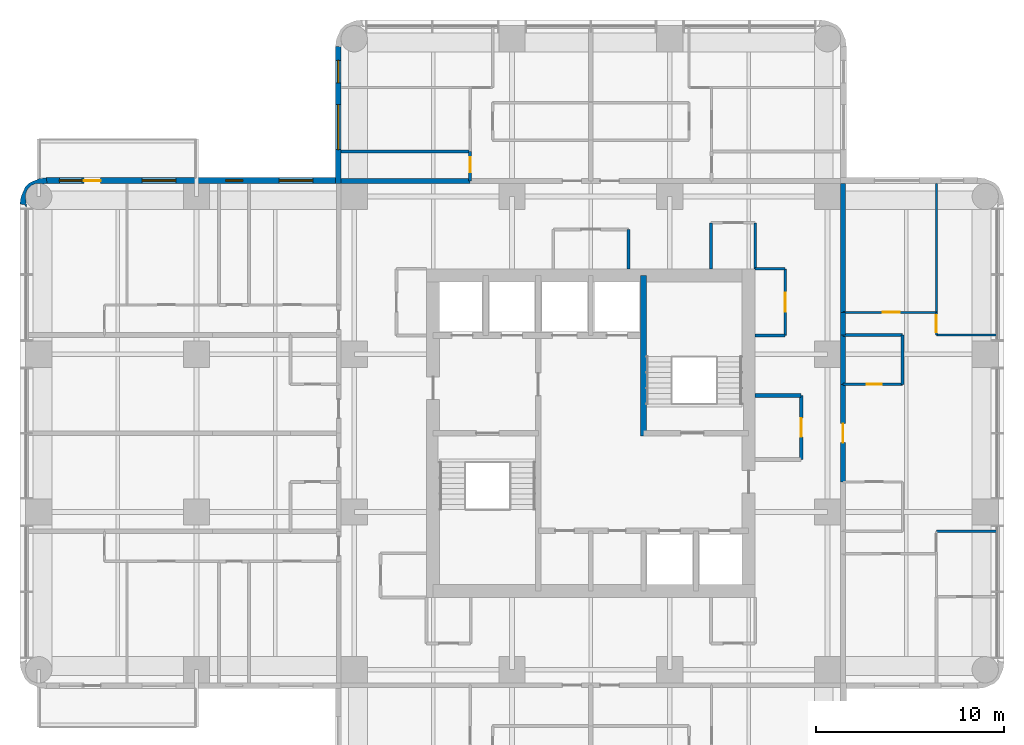
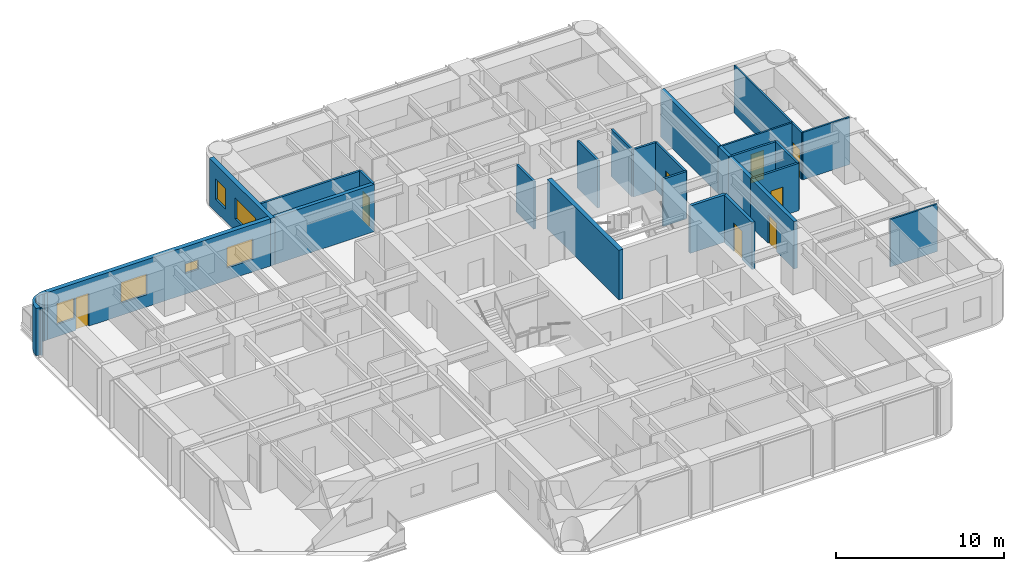
# One storey, part 8 of 11: 27 walls, 8 doors, 6 windows, 14 openings.
"""IFC4 building model written with IfcOpenShell, lengths in metres."""

from ifc_helpers import new_model, si_unit, direction, frame, frame_2d, origin, place, context, subcontext, project, spatial, polyline, rectangle, outline, extrude, material, layer, layer_set, type_object, element, fill, save


model = new_model("IFC4")

# Units and contexts
model_context = context("Model", 3, precision=1e-05, world=origin(), true_north=direction((0.0, 1.0)))
body_context = subcontext(model_context, "Body", "Model", "MODEL_VIEW")
ifc_project = project(units=[si_unit("LENGTHUNIT", "METRE"), si_unit("AREAUNIT", "SQUARE_METRE"), si_unit("VOLUMEUNIT", "CUBIC_METRE"), si_unit("PLANEANGLEUNIT", "RADIAN"), si_unit("MASSUNIT", "GRAM", prefix="KILO")], contexts=[model_context])

# Site, building, storey
site_placement = place(None, origin())
site = spatial("IfcSite", under=ifc_project, at=site_placement, CompositionType="ELEMENT")
building_placement = place(site_placement, origin())
building = spatial("IfcBuilding", under=site, at=building_placement, Name="Torre Alcanfor", CompositionType="ELEMENT")
storey_placement = place(building_placement, frame((0.0, 0.0, 212.10009765625)))
storey = spatial("IfcBuildingStorey", under=building, at=storey_placement, Name="L55", CompositionType="ELEMENT", Elevation=212.10009765625)

# Wall
ifc_material_1 = material(Name="Concrete block masonry, hollow blocks NMX-C-404 9 MPa", Category="masonry")
ifc_layer_1 = layer(ifc_material_1, 0.25)
ifc_layer_set_1 = layer_set([ifc_layer_1], Name="Apartment entrance wall 250 EI 60")
wall_type_1 = type_object("IfcWallType", Name="Apartment entrance wall 250 EI 60", PredefinedType="PARTITIONING", material=ifc_layer_set_1)
wall_1_placement = place(storey_placement, frame((16.10009765625, 42.824951171875, 0.0), z_axis=(0.0, 0.0, 1.0), x_axis=(1.0, 0.0, 0.0)))
element("IfcWall", 1, at=wall_1_placement, inside=storey, type_object=wall_type_1, Name="Partition L55-CORR / L55-N1-BATH", PredefinedType="PARTITIONING", context=body_context, shape_type="SweptSolid", body=[
    extrude(rectangle(XDim=6.870849609375, YDim=0.25, at=frame_2d((3.435546875, 0.0))), origin(), (0.0, 0.0, 1.0), 3.449951171875),
])

# Wall, opening, door
wall_2_placement = place(storey_placement, frame((42.824951171875, 32.0, 0.0), z_axis=(0.0, 0.0, 1.0), x_axis=(0.0, -1.0, 0.0)))
wall_2 = element("IfcWall", 2, at=wall_2_placement, inside=storey, type_object=wall_type_1, Name="Partition L55-CORR / L55-EX-ZAG", PredefinedType="PARTITIONING", context=body_context, shape_type="SweptSolid", body=[
    extrude(rectangle(XDim=5.199951171875, YDim=0.25, at=frame_2d((2.60009765625, 0.0))), origin(), (0.0, 0.0, 1.0), 3.449951171875),
])
opening_1_placement = place(wall_2_placement, frame((2.10009765625, 0.0, 0.0)))
opening_1 = element("IfcOpeningElement", 3, at=opening_1_placement, cuts=wall_2, Name="Opening D-A1", PredefinedType="OPENING", context=body_context, shape_type="SweptSolid", body=[
    extrude(rectangle(XDim=1.0, YDim=2.10009765625, at=frame_2d((0.5, 1.050048828125))), frame((0.0, 0.135009765625, 0.0), z_axis=(0.0, -1.0, 0.0), x_axis=(1.0, 0.0, 0.0)), (0.0, 0.0, 1.0), 0.27001953125),
])
ifc_material_2 = material(Name="Galvanised steel sheet ASTM A653", Category="steel")
door_type_1 = type_object("IfcDoorType", Name="Apartment entrance door FD60 1000x2100", OperationType="SINGLE_SWING_LEFT", PredefinedType="DOOR", material=ifc_material_2)
door_1_placement = place(opening_1_placement, origin())
door_1 = element("IfcDoor", 4, at=door_1_placement, inside=storey, type_object=door_type_1, Name="Apartment entrance L55-EX", OperationType="SINGLE_SWING_LEFT", OverallHeight=2.10009765625, OverallWidth=1.0, PredefinedType="DOOR", context=body_context, shape_type="SweptSolid", body=[
    extrude(rectangle(XDim=1.0, YDim=2.10009765625, at=frame_2d((0.5, 1.050048828125))), frame((0.0, 0.02490234375, 0.0), z_axis=(0.0, -1.0, 0.0), x_axis=(1.0, 0.0, 0.0)), (0.0, 0.0, 1.0), 0.050048828125),
])
fill(opening_1, door_1)

# Walls
wall_3_placement = place(storey_placement, frame((42.824951171875, 34.62890625, 0.0), z_axis=(0.0, 0.0, 1.0), x_axis=(0.0, -1.0, 0.0)))
element("IfcWall", 5, at=wall_3_placement, inside=storey, type_object=wall_type_1, Name="Partition L55-CORR / L55-EX-BATH2", PredefinedType="PARTITIONING", context=body_context, shape_type="SweptSolid", body=[
    extrude(rectangle(XDim=2.62890625, YDim=0.25, at=frame_2d((1.314453125, 0.0))), origin(), (0.0, 0.0, 1.0), 3.449951171875),
])
wall_4_placement = place(storey_placement, frame((42.824951171875, 35.8291015625, 0.0), z_axis=(0.0, 0.0, 1.0), x_axis=(0.0, -1.0, 0.0)))
element("IfcWall", 6, at=wall_4_placement, inside=storey, type_object=wall_type_1, Name="Partition L55-CORR / L55-EX-LIVING", PredefinedType="PARTITIONING", context=body_context, shape_type="SweptSolid", body=[
    extrude(rectangle(XDim=1.2001953125, YDim=0.25, at=frame_2d((0.60009765625, 0.0))), origin(), (0.0, 0.0, 1.0), 3.449951171875),
])
wall_5_placement = place(storey_placement, frame((42.824951171875, 42.699951171875, 0.0), z_axis=(0.0, 0.0, 1.0), x_axis=(0.0, -1.0, 0.0)))
element("IfcWall", 7, at=wall_5_placement, inside=storey, type_object=wall_type_1, Name="Partition L55-CORR / L55-EX-BED2", PredefinedType="PARTITIONING", context=body_context, shape_type="SweptSolid", body=[
    extrude(rectangle(XDim=6.870849609375, YDim=0.25, at=frame_2d((3.435546875, 0.0))), origin(), (0.0, 0.0, 1.0), 3.449951171875),
])

# Wall, opening, door
ifc_material_3 = material(Name="Gypsum board on steel studs", Category="steel")
ifc_layer_2 = layer(ifc_material_3, 0.1201171875)
ifc_layer_set_2 = layer_set([ifc_layer_2], Name="Apartment partition 120")
wall_type_2 = type_object("IfcWallType", Name="Apartment partition 120", PredefinedType="PARTITIONING", material=ifc_layer_set_2)
wall_6_placement = place(storey_placement, frame((42.824951171875, 35.8291015625, 0.0), z_axis=(0.0, 0.0, 1.0), x_axis=(1.0, 0.0, 0.0)))
wall_6 = element("IfcWall", 8, at=wall_6_placement, inside=storey, type_object=wall_type_2, Name="Partition L55-EX-LIVING / L55-EX-BED2", PredefinedType="PARTITIONING", context=body_context, shape_type="SweptSolid", body=[
    extrude(rectangle(XDim=4.97509765625, YDim=0.1201171875, at=frame_2d((2.487548828125, 0.0))), origin(), (0.0, 0.0, 1.0), 3.449951171875),
])
opening_2_placement = place(wall_6_placement, frame((2.125, 0.0, 0.0)))
opening_2 = element("IfcOpeningElement", 9, at=opening_2_placement, cuts=wall_6, Name="Opening D-R1", PredefinedType="OPENING", context=body_context, shape_type="SweptSolid", body=[
    extrude(rectangle(XDim=0.89990234375, YDim=2.10009765625, at=frame_2d((0.449951171875, 1.050048828125))), frame((0.0, 0.070068359375, 0.0), z_axis=(0.0, -1.0, 0.0), x_axis=(1.0, 0.0, 0.0)), (0.0, 0.0, 1.0), 0.14013671875),
])
ifc_material_4 = material(Name="Timber", Category="wood")
door_type_2 = type_object("IfcDoorType", Name="Internal door 900x2100", OperationType="SINGLE_SWING_LEFT", PredefinedType="DOOR", material=ifc_material_4)
door_2_placement = place(opening_2_placement, origin())
door_2 = element("IfcDoor", 10, at=door_2_placement, inside=storey, type_object=door_type_2, Name="Door L55-EX bed2", OperationType="SINGLE_SWING_RIGHT", OverallHeight=2.10009765625, OverallWidth=0.89990234375, PredefinedType="DOOR", context=body_context, shape_type="SweptSolid", body=[
    extrude(rectangle(XDim=0.89990234375, YDim=2.10009765625, at=frame_2d((0.449951171875, 1.050048828125))), frame((0.0, 0.02490234375, 0.0), z_axis=(0.0, -1.0, 0.0), x_axis=(1.0, 0.0, 0.0)), (0.0, 0.0, 1.0), 0.050048828125),
])
fill(opening_2, door_2)

wall_7_placement = place(storey_placement, frame((47.800048828125, 35.8291015625, 0.0), z_axis=(0.0, 0.0, 1.0), x_axis=(0.0, -1.0, 0.0)))
wall_7 = element("IfcWall", 11, at=wall_7_placement, inside=storey, type_object=wall_type_2, Name="Partition L55-EX-LIVING / L55-EX-MASTER", PredefinedType="PARTITIONING", context=body_context, shape_type="SweptSolid", body=[
    extrude(rectangle(XDim=1.2001953125, YDim=0.1201171875, at=frame_2d((0.60009765625, 0.0))), origin(), (0.0, 0.0, 1.0), 3.449951171875),
])
opening_3_placement = place(wall_7_placement, frame((0.14892578125, 0.0, 0.0)))
opening_3 = element("IfcOpeningElement", 12, at=opening_3_placement, cuts=wall_7, Name="Opening D-R1", PredefinedType="OPENING", context=body_context, shape_type="SweptSolid", body=[
    extrude(rectangle(XDim=0.89990234375, YDim=2.10009765625, at=frame_2d((0.449951171875, 1.050048828125))), frame((0.0, 0.070068359375, 0.0), z_axis=(0.0, -1.0, 0.0), x_axis=(1.0, 0.0, 0.0)), (0.0, 0.0, 1.0), 0.14013671875),
])
door_3_placement = place(opening_3_placement, origin())
door_3 = element("IfcDoor", 13, at=door_3_placement, inside=storey, type_object=door_type_2, Name="Door L55-EX master", OperationType="SINGLE_SWING_RIGHT", OverallHeight=2.10009765625, OverallWidth=0.89990234375, PredefinedType="DOOR", context=body_context, shape_type="SweptSolid", body=[
    extrude(rectangle(XDim=0.89990234375, YDim=2.10009765625, at=frame_2d((0.449951171875, 1.050048828125))), frame((0.0, 0.02490234375, 0.0), z_axis=(0.0, -1.0, 0.0), x_axis=(1.0, 0.0, 0.0)), (0.0, 0.0, 1.0), 0.050048828125),
])
fill(opening_3, door_3)

# Walls
for number, where, z_axis, x_axis, name in (
    (14, (47.800048828125, 34.62890625, 0.0), (0.0, 0.0, 1.0), (1.0, 0.0, 0.0), "Partition L55-EX-LIVING / L55-EX-MASTER"),
    (15, (51.050048828125, 24.1708984375, 0.0), (0.0, 0.0, 1.0), (-1.0, 0.0, 0.0), "Partition L55-EX-LIVING / L55-EX-BED1"),
):
    element("IfcWall", number, at=place(storey_placement, frame(where, z_axis=z_axis, x_axis=x_axis)), inside=storey, type_object=wall_type_2, Name=name, PredefinedType="PARTITIONING", context=body_context, shape_type="SweptSolid", body=[
        extrude(rectangle(XDim=3.25, YDim=0.1201171875, at=frame_2d((1.625, 0.0))), origin(), (0.0, 0.0, 1.0), 3.449951171875),
    ])
wall_8_placement = place(storey_placement, frame((47.800048828125, 35.8291015625, 0.0), z_axis=(0.0, 0.0, 1.0), x_axis=(0.0, 1.0, 0.0)))
element("IfcWall", 16, at=wall_8_placement, inside=storey, type_object=wall_type_2, Name="Partition L55-EX-BED2 / L55-EX-MASTER", PredefinedType="PARTITIONING", context=body_context, shape_type="SweptSolid", body=[
    extrude(rectangle(XDim=6.870849609375, YDim=0.1201171875, at=frame_2d((3.435546875, 0.0))), origin(), (0.0, 0.0, 1.0), 3.449951171875),
])
ifc_material_5 = material(Name="Concrete f'c 70 MPa", Category="concrete")
ifc_layer_3 = layer(ifc_material_5, 0.300048828125)
ifc_layer_set_3 = layer_set([ifc_layer_3], Name="Core inner wall 300 f'c70")
wall_type_3 = type_object("IfcWallType", Name="Core inner wall 300 f'c70", PredefinedType="SHEAR", material=ifc_layer_set_3)
wall_9_placement = place(storey_placement, frame((32.199951171875, 29.25, 0.0), z_axis=(0.0, 0.0, 1.0), x_axis=(0.0, 1.0, 0.0)))
element("IfcWall", 17, at=wall_9_placement, inside=storey, type_object=wall_type_3, Name="Core wall X322N L55", PredefinedType="SHEAR", context=body_context, shape_type="SweptSolid", body=[
    extrude(rectangle(XDim=8.550048828125, YDim=0.300048828125, at=frame_2d((4.27490234375, 0.0))), origin(), (0.0, 0.0, 1.0), 3.599853515625),
])

# Wall, openings, door, windows
ifc_material_6 = material(Name="Limestone cladding", Category="masonry")
ifc_layer_4 = layer(ifc_material_6, 0.0400390625, Name="Facing")
ifc_material_7 = material(Name="Ventilated air cavity")
ifc_layer_5 = layer(ifc_material_7, 0.02001953125, ventilated=True, Name="Ventilated joint")
ifc_material_8 = material(Name="Mineral wool insulation", Category="insulation")
ifc_layer_6 = layer(ifc_material_8, 0.10009765625, Name="Insulation")
ifc_material_9 = material(Name="Concrete f'c 35 MPa", Category="concrete")
ifc_layer_7 = layer(ifc_material_9, 0.139892578125, Name="Backing")
ifc_layer_set_4 = layer_set([ifc_layer_4, ifc_layer_5, ifc_layer_6, ifc_layer_7], Name="External wall stone-clad 300")
wall_type_4 = type_object("IfcWallType", Name="External wall stone-clad 300", PredefinedType="SOLIDWALL", material=ifc_layer_set_4)
wall_10_placement = place(storey_placement, frame((15.800048828125, 42.85009765625, 0.0), z_axis=(0.0, 0.0, 1.0), x_axis=(-1.0, 0.0, 0.0)))
wall_10 = element("IfcWall", 18, at=wall_10_placement, inside=storey, type_object=wall_type_4, Name="External wall L55 1", PredefinedType="SOLIDWALL", context=body_context, shape_type="SweptSolid", body=[
    extrude(rectangle(XDim=15.400146484375, YDim=0.300048828125, at=frame_2d((7.7001953125, 0.0))), origin(), (0.0, 0.0, 1.0), 3.449951171875),
])
opening_4_placement = place(wall_10_placement, frame((1.199951171875, 0.0, 0.89990234375)))
opening_4 = element("IfcOpeningElement", 19, at=opening_4_placement, cuts=wall_10, Name="Opening W2", PredefinedType="OPENING", context=body_context, shape_type="SweptSolid", body=[
    extrude(rectangle(XDim=1.800048828125, YDim=1.5, at=frame_2d((0.89990234375, 0.75))), frame((0.0, 0.159912109375, 0.0), z_axis=(0.0, -1.0, 0.0), x_axis=(1.0, 0.0, 0.0)), (0.0, 0.0, 1.0), 0.320068359375),
])
opening_5_placement = place(wall_10_placement, frame((4.949951171875, 0.0, 1.5)))
opening_5 = element("IfcOpeningElement", 20, at=opening_5_placement, cuts=wall_10, Name="Opening W3", PredefinedType="OPENING", context=body_context, shape_type="SweptSolid", body=[
    extrude(rectangle(XDim=0.89990234375, YDim=0.699951171875, at=frame_2d((0.449951171875, 0.35009765625))), frame((0.0, 0.159912109375, 0.0), z_axis=(0.0, -1.0, 0.0), x_axis=(1.0, 0.0, 0.0)), (0.0, 0.0, 1.0), 0.320068359375),
])
opening_6_placement = place(wall_10_placement, frame((8.5, 0.0, 0.89990234375)))
opening_6 = element("IfcOpeningElement", 21, at=opening_6_placement, cuts=wall_10, Name="Opening W2", PredefinedType="OPENING", context=body_context, shape_type="SweptSolid", body=[
    extrude(rectangle(XDim=1.800048828125, YDim=1.5, at=frame_2d((0.89990234375, 0.75))), frame((0.0, 0.159912109375, 0.0), z_axis=(0.0, -1.0, 0.0), x_axis=(1.0, 0.0, 0.0)), (0.0, 0.0, 1.0), 0.320068359375),
])
opening_7_placement = place(wall_10_placement, frame((12.5, 0.0, 0.0)))
opening_7 = element("IfcOpeningElement", 22, at=opening_7_placement, cuts=wall_10, Name="Opening D-B1", PredefinedType="OPENING", context=body_context, shape_type="SweptSolid", body=[
    extrude(rectangle(XDim=0.89990234375, YDim=2.39990234375, at=frame_2d((0.449951171875, 1.199951171875))), frame((0.0, 0.159912109375, 0.0), z_axis=(0.0, -1.0, 0.0), x_axis=(1.0, 0.0, 0.0)), (0.0, 0.0, 1.0), 0.320068359375),
])
opening_8_placement = place(wall_10_placement, frame((13.5, 0.0, 0.89990234375)))
opening_8 = element("IfcOpeningElement", 23, at=opening_8_placement, cuts=wall_10, Name="Opening W4", PredefinedType="OPENING", context=body_context, shape_type="SweptSolid", body=[
    extrude(rectangle(XDim=1.199951171875, YDim=1.5, at=frame_2d((0.60009765625, 0.75))), frame((0.0, 0.159912109375, 0.0), z_axis=(0.0, -1.0, 0.0), x_axis=(1.0, 0.0, 0.0)), (0.0, 0.0, 1.0), 0.320068359375),
])
ifc_material_10 = material(Name="Aluminium and glass", Category="aluminium")
door_type_3 = type_object("IfcDoorType", Name="Balcony door glazed 900x2400", OperationType="SINGLE_SWING_LEFT", PredefinedType="DOOR", material=ifc_material_10)
door_4_placement = place(opening_7_placement, origin())
door_4 = element("IfcDoor", 24, at=door_4_placement, inside=storey, type_object=door_type_3, Name="Balcony door L55-W2", OperationType="SINGLE_SWING_LEFT", OverallHeight=2.39990234375, OverallWidth=0.89990234375, PredefinedType="DOOR", context=body_context, shape_type="SweptSolid", body=[
    extrude(rectangle(XDim=0.89990234375, YDim=2.39990234375, at=frame_2d((0.449951171875, 1.199951171875))), frame((0.0, 0.02490234375, 0.0), z_axis=(0.0, -1.0, 0.0), x_axis=(1.0, 0.0, 0.0)), (0.0, 0.0, 1.0), 0.050048828125),
])
fill(opening_7, door_4)
ifc_material_11 = material(Name="Aluminium frame with clear double glazing", Category="aluminium")
window_type_1 = type_object("IfcWindowType", Name="Window bathroom 900x700", PartitioningType="SINGLE_PANEL", PredefinedType="WINDOW", material=ifc_material_11)
window_1_placement = place(opening_5_placement, origin())
window_1 = element("IfcWindow", 25, at=window_1_placement, inside=storey, type_object=window_type_1, Name="Window W3 L55-W2", OverallHeight=0.699951171875, OverallWidth=0.89990234375, PartitioningType="SINGLE_PANEL", PredefinedType="WINDOW", context=body_context, shape_type="SweptSolid", body=[
    extrude(rectangle(XDim=0.89990234375, YDim=0.699951171875, at=frame_2d((0.449951171875, 0.35009765625))), frame((0.0, 0.030029296875, 0.0), z_axis=(0.0, -1.0, 0.0), x_axis=(1.0, 0.0, 0.0)), (0.0, 0.0, 1.0), 0.06005859375),
])
fill(opening_5, window_1)
ifc_material_12 = material(Name="Aluminium frame with clear double glazing", Category="aluminium")
window_type_2 = type_object("IfcWindowType", Name="Window bedroom 1200x1500", PartitioningType="SINGLE_PANEL", PredefinedType="WINDOW", material=ifc_material_12)
window_2_placement = place(opening_8_placement, origin())
window_2 = element("IfcWindow", 26, at=window_2_placement, inside=storey, type_object=window_type_2, Name="Window W4 L55-W2", OverallHeight=1.5, OverallWidth=1.199951171875, PartitioningType="SINGLE_PANEL", PredefinedType="WINDOW", context=body_context, shape_type="SweptSolid", body=[
    extrude(rectangle(XDim=1.199951171875, YDim=1.5, at=frame_2d((0.60009765625, 0.75))), frame((0.0, 0.030029296875, 0.0), z_axis=(0.0, -1.0, 0.0), x_axis=(1.0, 0.0, 0.0)), (0.0, 0.0, 1.0), 0.06005859375),
])
fill(opening_8, window_2)
ifc_material_13 = material(Name="Aluminium frame with clear double glazing", Category="aluminium")
window_type_3 = type_object("IfcWindowType", Name="Window bedroom 1800x1500", PartitioningType="SINGLE_PANEL", PredefinedType="WINDOW", material=ifc_material_13)
window_3_placement = place(opening_4_placement, origin())
window_3 = element("IfcWindow", 27, at=window_3_placement, inside=storey, type_object=window_type_3, Name="Window W2 L55-W2", OverallHeight=1.5, OverallWidth=1.800048828125, PartitioningType="SINGLE_PANEL", PredefinedType="WINDOW", context=body_context, shape_type="SweptSolid", body=[
    extrude(rectangle(XDim=1.800048828125, YDim=1.5, at=frame_2d((0.89990234375, 0.75))), frame((0.0, 0.030029296875, 0.0), z_axis=(0.0, -1.0, 0.0), x_axis=(1.0, 0.0, 0.0)), (0.0, 0.0, 1.0), 0.06005859375),
])
fill(opening_4, window_3)
window_4_placement = place(opening_6_placement, origin())
window_4 = element("IfcWindow", 28, at=window_4_placement, inside=storey, type_object=window_type_3, Name="Window W2 L55-W2", OverallHeight=1.5, OverallWidth=1.800048828125, PartitioningType="SINGLE_PANEL", PredefinedType="WINDOW", context=body_context, shape_type="SweptSolid", body=[
    extrude(rectangle(XDim=1.800048828125, YDim=1.5, at=frame_2d((0.89990234375, 0.75))), frame((0.0, 0.030029296875, 0.0), z_axis=(0.0, -1.0, 0.0), x_axis=(1.0, 0.0, 0.0)), (0.0, 0.0, 1.0), 0.06005859375),
])
fill(opening_6, window_4)

# Wall, openings, windows
wall_11_placement = place(storey_placement, frame((15.949951171875, 50.0, 0.0), z_axis=(0.0, 0.0, 1.0), x_axis=(0.0, -1.0, 0.0)))
wall_11 = element("IfcWall", 29, at=wall_11_placement, inside=storey, type_object=wall_type_4, Name="External wall L55 12", PredefinedType="SOLIDWALL", context=body_context, shape_type="SweptSolid", body=[
    extrude(rectangle(XDim=7.300048828125, YDim=0.300048828125, at=frame_2d((3.64990234375, 0.0))), origin(), (0.0, 0.0, 1.0), 3.449951171875),
])
opening_9_placement = place(wall_11_placement, frame((3.10009765625, 0.0, 0.89990234375)))
opening_9 = element("IfcOpeningElement", 30, at=opening_9_placement, cuts=wall_11, Name="Opening W1", PredefinedType="OPENING", context=body_context, shape_type="SweptSolid", body=[
    extrude(rectangle(XDim=2.39990234375, YDim=1.5, at=frame_2d((1.199951171875, 0.75))), frame((0.0, 0.159912109375, 0.0), z_axis=(0.0, -1.0, 0.0), x_axis=(1.0, 0.0, 0.0)), (0.0, 0.0, 1.0), 0.320068359375),
])
opening_10_placement = place(wall_11_placement, frame((0.75, 0.0, 0.89990234375)))
opening_10 = element("IfcOpeningElement", 31, at=opening_10_placement, cuts=wall_11, Name="Opening W4", PredefinedType="OPENING", context=body_context, shape_type="SweptSolid", body=[
    extrude(rectangle(XDim=1.199951171875, YDim=1.5, at=frame_2d((0.60009765625, 0.75))), frame((0.0, 0.159912109375, 0.0), z_axis=(0.0, -1.0, 0.0), x_axis=(1.0, 0.0, 0.0)), (0.0, 0.0, 1.0), 0.320068359375),
])
window_5_placement = place(opening_10_placement, origin())
window_5 = element("IfcWindow", 32, at=window_5_placement, inside=storey, type_object=window_type_2, Name="Window W4 L55-N1", OverallHeight=1.5, OverallWidth=1.199951171875, PartitioningType="SINGLE_PANEL", PredefinedType="WINDOW", context=body_context, shape_type="SweptSolid", body=[
    extrude(rectangle(XDim=1.199951171875, YDim=1.5, at=frame_2d((0.60009765625, 0.75))), frame((0.0, 0.030029296875, 0.0), z_axis=(0.0, -1.0, 0.0), x_axis=(1.0, 0.0, 0.0)), (0.0, 0.0, 1.0), 0.06005859375),
])
fill(opening_10, window_5)
ifc_material_14 = material(Name="Aluminium frame with clear double glazing", Category="aluminium")
window_type_4 = type_object("IfcWindowType", Name="Window bedroom 2400x1500", PartitioningType="SINGLE_PANEL", PredefinedType="WINDOW", material=ifc_material_14)
window_6_placement = place(opening_9_placement, origin())
window_6 = element("IfcWindow", 33, at=window_6_placement, inside=storey, type_object=window_type_4, Name="Window W1 L55-N1", OverallHeight=1.5, OverallWidth=2.39990234375, PartitioningType="SINGLE_PANEL", PredefinedType="WINDOW", context=body_context, shape_type="SweptSolid", body=[
    extrude(rectangle(XDim=2.39990234375, YDim=1.5, at=frame_2d((1.199951171875, 0.75))), frame((0.0, 0.030029296875, 0.0), z_axis=(0.0, -1.0, 0.0), x_axis=(1.0, 0.0, 0.0)), (0.0, 0.0, 1.0), 0.06005859375),
])
fill(opening_9, window_6)

# Wall, opening, door
ifc_material_15 = material(Name="Concrete block masonry, hollow blocks NMX-C-404 9 MPa", Category="masonry")
ifc_layer_8 = layer(ifc_material_15, 0.199951171875)
ifc_layer_set_5 = layer_set([ifc_layer_8], Name="Plant room wall 200 EI 60")
wall_type_5 = type_object("IfcWallType", Name="Plant room wall 200 EI 60", PredefinedType="PARTITIONING", material=ifc_layer_set_5)
wall_12_placement = place(storey_placement, frame((40.60009765625, 28.0, 0.0), z_axis=(0.0, 0.0, 1.0), x_axis=(0.0, 1.0, 0.0)))
wall_12 = element("IfcWall", 34, at=wall_12_placement, inside=storey, type_object=wall_type_5, Name="Partition L55-CORR / L55-G03", PredefinedType="PARTITIONING", context=body_context, shape_type="SweptSolid", body=[
    extrude(rectangle(XDim=3.39990234375, YDim=0.199951171875, at=frame_2d((1.699951171875, 0.0))), origin(), (0.0, 0.0, 1.0), 3.449951171875),
])
opening_11_placement = place(wall_12_placement, frame((1.199951171875, 0.0, 0.0)))
opening_11 = element("IfcOpeningElement", 35, at=opening_11_placement, cuts=wall_12, Name="Opening D-K1", PredefinedType="OPENING", context=body_context, shape_type="SweptSolid", body=[
    extrude(rectangle(XDim=1.0, YDim=2.10009765625, at=frame_2d((0.5, 1.050048828125))), frame((0.0, 0.10986328125, 0.0), z_axis=(0.0, -1.0, 0.0), x_axis=(1.0, 0.0, 0.0)), (0.0, 0.0, 1.0), 0.219970703125),
])
ifc_material_16 = material(Name="Galvanised steel sheet ASTM A653", Category="steel")
door_type_4 = type_object("IfcDoorType", Name="Core room door FD60 1000x2100", OperationType="SINGLE_SWING_LEFT", PredefinedType="DOOR", material=ifc_material_16)
door_5_placement = place(opening_11_placement, origin())
door_5 = element("IfcDoor", 36, at=door_5_placement, inside=storey, type_object=door_type_4, Name="Door L55-G03 refuse and recycling store", OperationType="SINGLE_SWING_LEFT", OverallHeight=2.10009765625, OverallWidth=1.0, PredefinedType="DOOR", context=body_context, shape_type="SweptSolid", body=[
    extrude(rectangle(XDim=1.0, YDim=2.10009765625, at=frame_2d((0.5, 1.050048828125))), frame((0.0, 0.02490234375, 0.0), z_axis=(0.0, -1.0, 0.0), x_axis=(1.0, 0.0, 0.0)), (0.0, 0.0, 1.0), 0.050048828125),
])
fill(opening_11, door_5)

# Walls
wall_13_placement = place(storey_placement, frame((40.60009765625, 31.39990234375, 0.0), z_axis=(0.0, 0.0, 1.0), x_axis=(-1.0, 0.0, 0.0)))
element("IfcWall", 37, at=wall_13_placement, inside=storey, type_object=wall_type_5, Name="Partition L55-CORR / L55-G03", PredefinedType="PARTITIONING", context=body_context, shape_type="SweptSolid", body=[
    extrude(rectangle(XDim=2.4501953125, YDim=0.199951171875, at=frame_2d((1.22509765625, 0.0))), origin(), (0.0, 0.0, 1.0), 3.449951171875),
])
ifc_material_17 = material(Name="Concrete block masonry, hollow blocks NMX-C-404 9 MPa", Category="masonry")
ifc_layer_9 = layer(ifc_material_17, 0.14990234375)
ifc_layer_set_6 = layer_set([ifc_layer_9], Name="Residents' room partition 150")
wall_type_6 = type_object("IfcWallType", Name="Residents' room partition 150", PredefinedType="PARTITIONING", material=ifc_layer_set_6)
wall_14_placement = place(storey_placement, frame((31.39990234375, 38.14990234375, 0.0), z_axis=(0.0, 0.0, 1.0), x_axis=(0.0, 1.0, 0.0)))
element("IfcWall", 38, at=wall_14_placement, inside=storey, type_object=wall_type_6, Name="Partition L55-CORR / L55-G01", PredefinedType="PARTITIONING", context=body_context, shape_type="SweptSolid", body=[
    extrude(rectangle(XDim=2.10009765625, YDim=0.14990234375, at=frame_2d((1.050048828125, 0.0))), origin(), (0.0, 0.0, 1.0), 3.449951171875),
])
for number, where, z_axis, x_axis, name in (
    (39, (38.14990234375, 38.14990234375, 0.0), (0.0, 0.0, 1.0), (0.0, 1.0, 0.0), "Partition L55-CORR / L55-G02"),
    (40, (35.800048828125, 40.60009765625, 0.0), (0.0, 0.0, 1.0), (0.0, -1.0, 0.0), "Partition L55-CORR / L55-G02"),
):
    element("IfcWall", number, at=place(storey_placement, frame(where, z_axis=z_axis, x_axis=x_axis)), inside=storey, type_object=wall_type_6, Name=name, PredefinedType="PARTITIONING", context=body_context, shape_type="SweptSolid", body=[
        extrude(rectangle(XDim=2.4501953125, YDim=0.14990234375, at=frame_2d((1.22509765625, 0.0))), origin(), (0.0, 0.0, 1.0), 3.449951171875),
    ])
wall_15_placement = place(storey_placement, frame((38.14990234375, 34.60009765625, 0.0), z_axis=(0.0, 0.0, 1.0), x_axis=(1.0, 0.0, 0.0)))
element("IfcWall", 41, at=wall_15_placement, inside=storey, type_object=wall_type_6, Name="Partition L55-CORR / L55-G04", PredefinedType="PARTITIONING", context=body_context, shape_type="SweptSolid", body=[
    extrude(rectangle(XDim=1.60009765625, YDim=0.14990234375, at=frame_2d((0.800048828125, 0.0))), origin(), (0.0, 0.0, 1.0), 3.449951171875),
])

# Wall, opening, door
wall_16_placement = place(storey_placement, frame((39.75, 34.60009765625, 0.0), z_axis=(0.0, 0.0, 1.0), x_axis=(0.0, 1.0, 0.0)))
wall_16 = element("IfcWall", 42, at=wall_16_placement, inside=storey, type_object=wall_type_6, Name="Partition L55-CORR / L55-G04", PredefinedType="PARTITIONING", context=body_context, shape_type="SweptSolid", body=[
    extrude(rectangle(XDim=3.5498046875, YDim=0.14990234375, at=frame_2d((1.77490234375, 0.0))), origin(), (0.0, 0.0, 1.0), 3.449951171875),
])
opening_12_placement = place(wall_16_placement, frame((1.27490234375, 0.0, 0.0)))
opening_12 = element("IfcOpeningElement", 43, at=opening_12_placement, cuts=wall_16, Name="Opening D-M1", PredefinedType="OPENING", context=body_context, shape_type="SweptSolid", body=[
    extrude(rectangle(XDim=1.0, YDim=2.10009765625, at=frame_2d((0.5, 1.050048828125))), frame((0.0, 0.0849609375, 0.0), z_axis=(0.0, -1.0, 0.0), x_axis=(1.0, 0.0, 0.0)), (0.0, 0.0, 1.0), 0.169921875),
])
ifc_material_18 = material(Name="Timber", Category="wood")
door_type_5 = type_object("IfcDoorType", Name="Residents' room door 1000x2100", OperationType="SINGLE_SWING_LEFT", PredefinedType="DOOR", material=ifc_material_18)
door_6_placement = place(opening_12_placement, origin())
door_6 = element("IfcDoor", 44, at=door_6_placement, inside=storey, type_object=door_type_5, Name="Door L55-G04 residents' storage", OperationType="SINGLE_SWING_LEFT", OverallHeight=2.10009765625, OverallWidth=1.0, PredefinedType="DOOR", context=body_context, shape_type="SweptSolid", body=[
    extrude(rectangle(XDim=1.0, YDim=2.10009765625, at=frame_2d((0.5, 1.050048828125))), frame((0.0, 0.02490234375, 0.0), z_axis=(0.0, -1.0, 0.0), x_axis=(1.0, 0.0, 0.0)), (0.0, 0.0, 1.0), 0.050048828125),
])
fill(opening_12, door_6)

# Walls
wall_17_placement = place(storey_placement, frame((39.75, 38.14990234375, 0.0), z_axis=(0.0, 0.0, 1.0), x_axis=(-1.0, 0.0, 0.0)))
element("IfcWall", 45, at=wall_17_placement, inside=storey, type_object=wall_type_6, Name="Partition L55-CORR / L55-G04", PredefinedType="PARTITIONING", context=body_context, shape_type="SweptSolid", body=[
    extrude(rectangle(XDim=1.60009765625, YDim=0.14990234375, at=frame_2d((0.800048828125, 0.0))), origin(), (0.0, 0.0, 1.0), 3.449951171875),
])
ifc_layer_10 = layer(ifc_material_6, 0.0400390625, Name="Facing")
ifc_layer_11 = layer(ifc_material_7, 0.02001953125, ventilated=True, Name="Ventilated joint")
ifc_layer_12 = layer(ifc_material_8, 0.10009765625, Name="Insulation")
ifc_layer_13 = layer(ifc_material_9, 0.139892578125, Name="Backing")
ifc_layer_set_7 = layer_set([ifc_layer_10, ifc_layer_11, ifc_layer_12, ifc_layer_13], Name="Rounded corner pier stone-clad 300")
wall_type_7 = type_object("IfcWallType", Name="Rounded corner pier stone-clad 300", PredefinedType="SOLIDWALL", material=ifc_layer_set_7)
wall_18_placement = place(storey_placement, frame((0.289684728, 42.724211819, 0.0), z_axis=(0.0, 0.0, 1.0), x_axis=(-0.898030234854, 0.439933741929, 0.0)))
element("IfcWall", 46, at=wall_18_placement, inside=storey, type_object=wall_type_7, Name="Corner pier L55 13", PredefinedType="SOLIDWALL", context=body_context, shape_type="SweptSolid", body=[
    extrude(outline(polyline([(-0.1451696260029872, -0.04410137667948781), (0.022349775089968618, -0.29615457307685267), (0.3267662274453961, -0.09401161193946184), (0.5684395137438579, 0.1801582341686725), (0.5775438768187978, 0.19875519044837203), (0.6998681881563861, 0.337520421761322), (0.8105897526086489, 0.6609052696654318), (0.798987005723323, 0.8455248862565916), (0.8031915983754734, 0.8657994419976891), (0.7802772818432999, 1.230559659021311), (0.6636401292003462, 1.5768643338748296), (0.426274926498842, 1.4970116570996908), (0.3818262033461368, 1.5361339555879763), (0.27609856791259557, 1.5721508582913652), (0.34924184873618547, 1.4228445619203098), (0.3919947529834039, 1.4437886731693554), (0.4531844604451624, 1.2611683721887113), (0.5096660727895201, 1.2113572307370708), (0.632323380719828, 0.9609786838123349), (0.6499334439144826, 0.6825189735513317), (0.5596785928912745, 0.41891132480525434), (0.37509146330548054, 0.2096805523179385), (0.12471291638074464, 0.0870232443876307), (0.04955403003282338, 0.08228360846554762), (-0.12741072731568104, -0.035401515083730434), (-0.1451696260029872, -0.04410137667948781)])), origin(), (0.0, 0.0, 1.0), 3.449951171875),
])

# Wall, opening, door
ifc_material_19 = material(Name="Cement board on steel studs", Category="steel")
ifc_layer_14 = layer(ifc_material_19, 0.14990234375)
ifc_layer_set_8 = layer_set([ifc_layer_14], Name="Wet area partition 150")
wall_type_8 = type_object("IfcWallType", Name="Wet area partition 150", PredefinedType="PARTITIONING", material=ifc_layer_set_8)
wall_19_placement = place(storey_placement, frame((22.970947265625, 42.824951171875, 0.0), z_axis=(0.0, 0.0, 1.0), x_axis=(0.0, 1.0, 0.0)))
wall_19 = element("IfcWall", 47, at=wall_19_placement, inside=storey, type_object=wall_type_8, Name="Partition L55-N1-LIVING / L55-N1-BATH", PredefinedType="PARTITIONING", context=body_context, shape_type="SweptSolid", body=[
    extrude(rectangle(XDim=1.574951171875, YDim=0.14990234375, at=frame_2d((0.78759765625, 0.0))), origin(), (0.0, 0.0, 1.0), 3.449951171875),
])
opening_13_placement = place(wall_19_placement, frame((0.47509765625, 0.0, 0.0)))
opening_13 = element("IfcOpeningElement", 48, at=opening_13_placement, cuts=wall_19, Name="Opening D-R2", PredefinedType="OPENING", context=body_context, shape_type="SweptSolid", body=[
    extrude(rectangle(XDim=0.800048828125, YDim=2.10009765625, at=frame_2d((0.39990234375, 1.050048828125))), frame((0.0, 0.0849609375, 0.0), z_axis=(0.0, -1.0, 0.0), x_axis=(1.0, 0.0, 0.0)), (0.0, 0.0, 1.0), 0.169921875),
])
ifc_material_20 = material(Name="Timber", Category="wood")
door_type_6 = type_object("IfcDoorType", Name="Bathroom door 800x2100", OperationType="SINGLE_SWING_LEFT", PredefinedType="DOOR", material=ifc_material_20)
door_7_placement = place(opening_13_placement, origin())
door_7 = element("IfcDoor", 49, at=door_7_placement, inside=storey, type_object=door_type_6, Name="Door L55-N1 bath", OperationType="SINGLE_SWING_RIGHT", OverallHeight=2.10009765625, OverallWidth=0.800048828125, PredefinedType="DOOR", context=body_context, shape_type="SweptSolid", body=[
    extrude(rectangle(XDim=0.800048828125, YDim=2.10009765625, at=frame_2d((0.39990234375, 1.050048828125))), frame((0.0, 0.02490234375, 0.0), z_axis=(0.0, -1.0, 0.0), x_axis=(1.0, 0.0, 0.0)), (0.0, 0.0, 1.0), 0.050048828125),
])
fill(opening_13, door_7)

# Wall
wall_20_placement = place(storey_placement, frame((22.970947265625, 44.39990234375, 0.0), z_axis=(0.0, 0.0, 1.0), x_axis=(-1.0, 0.0, 0.0)))
element("IfcWall", 50, at=wall_20_placement, inside=storey, type_object=wall_type_8, Name="Partition L55-N1-BATH / L55-N1-STUDY", PredefinedType="PARTITIONING", context=body_context, shape_type="SweptSolid", body=[
    extrude(rectangle(XDim=6.870849609375, YDim=0.14990234375, at=frame_2d((3.435546875, 0.0))), origin(), (0.0, 0.0, 1.0), 3.449951171875),
])

# Wall, opening, door
wall_21_placement = place(storey_placement, frame((46.0, 32.0, 0.0), z_axis=(0.0, 0.0, 1.0), x_axis=(-1.0, 0.0, 0.0)))
wall_21 = element("IfcWall", 51, at=wall_21_placement, inside=storey, type_object=wall_type_8, Name="Partition L55-EX-ZAG / L55-EX-BATH2", PredefinedType="PARTITIONING", context=body_context, shape_type="SweptSolid", body=[
    extrude(rectangle(XDim=3.175048828125, YDim=0.14990234375, at=frame_2d((1.58740234375, 0.0))), origin(), (0.0, 0.0, 1.0), 3.449951171875),
])
opening_14_placement = place(wall_21_placement, frame((1.10009765625, 0.0, 0.0)))
opening_14 = element("IfcOpeningElement", 52, at=opening_14_placement, cuts=wall_21, Name="Opening D-R2", PredefinedType="OPENING", context=body_context, shape_type="SweptSolid", body=[
    extrude(rectangle(XDim=0.800048828125, YDim=2.10009765625, at=frame_2d((0.39990234375, 1.050048828125))), frame((0.0, 0.0849609375, 0.0), z_axis=(0.0, -1.0, 0.0), x_axis=(1.0, 0.0, 0.0)), (0.0, 0.0, 1.0), 0.169921875),
])
door_8_placement = place(opening_14_placement, frame((0.800048828125, 0.0, 0.0), z_axis=(0.0, 0.0, 1.0), x_axis=(-1.0, 0.0, 0.0)))
door_8 = element("IfcDoor", 53, at=door_8_placement, inside=storey, type_object=door_type_6, Name="Door L55-EX bath2", OperationType="SINGLE_SWING_RIGHT", OverallHeight=2.10009765625, OverallWidth=0.800048828125, PredefinedType="DOOR", context=body_context, shape_type="SweptSolid", body=[
    extrude(rectangle(XDim=0.800048828125, YDim=2.10009765625, at=frame_2d((0.400146484375, 1.050048828125))), frame((0.0, 0.025146484375, 0.0), z_axis=(0.0, -1.0, 0.0), x_axis=(1.0, 0.0, 0.0)), (0.0, 0.0, 1.0), 0.050048828125),
])
fill(opening_14, door_8)

# Walls
wall_22_placement = place(storey_placement, frame((46.0, 32.0, 0.0), z_axis=(0.0, 0.0, 1.0), x_axis=(0.0, 1.0, 0.0)))
element("IfcWall", 54, at=wall_22_placement, inside=storey, type_object=wall_type_8, Name="Partition L55-EX-BATH2 / L55-EX-LIVING", PredefinedType="PARTITIONING", context=body_context, shape_type="SweptSolid", body=[
    extrude(rectangle(XDim=2.62890625, YDim=0.14990234375, at=frame_2d((1.314453125, 0.0))), origin(), (0.0, 0.0, 1.0), 3.449951171875),
])
wall_23_placement = place(storey_placement, frame((46.0, 34.62890625, 0.0), z_axis=(0.0, 0.0, 1.0), x_axis=(-1.0, 0.0, 0.0)))
element("IfcWall", 55, at=wall_23_placement, inside=storey, type_object=wall_type_8, Name="Partition L55-EX-BATH2 / L55-EX-LIVING", PredefinedType="PARTITIONING", context=body_context, shape_type="SweptSolid", body=[
    extrude(rectangle(XDim=3.175048828125, YDim=0.14990234375, at=frame_2d((1.58740234375, 0.0))), origin(), (0.0, 0.0, 1.0), 3.449951171875),
])

save(model, "model.ifc")
